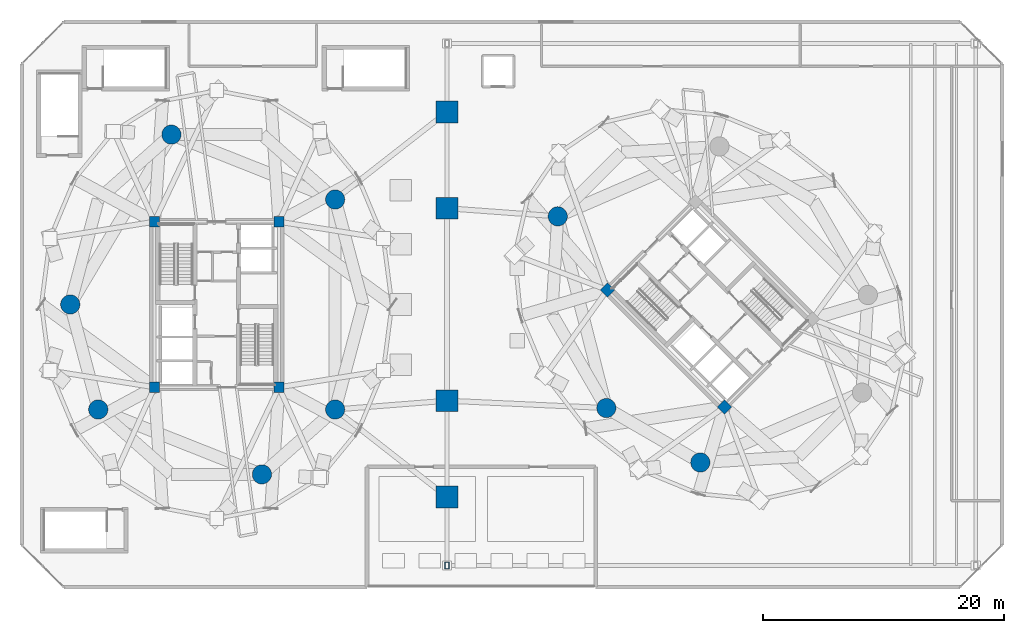
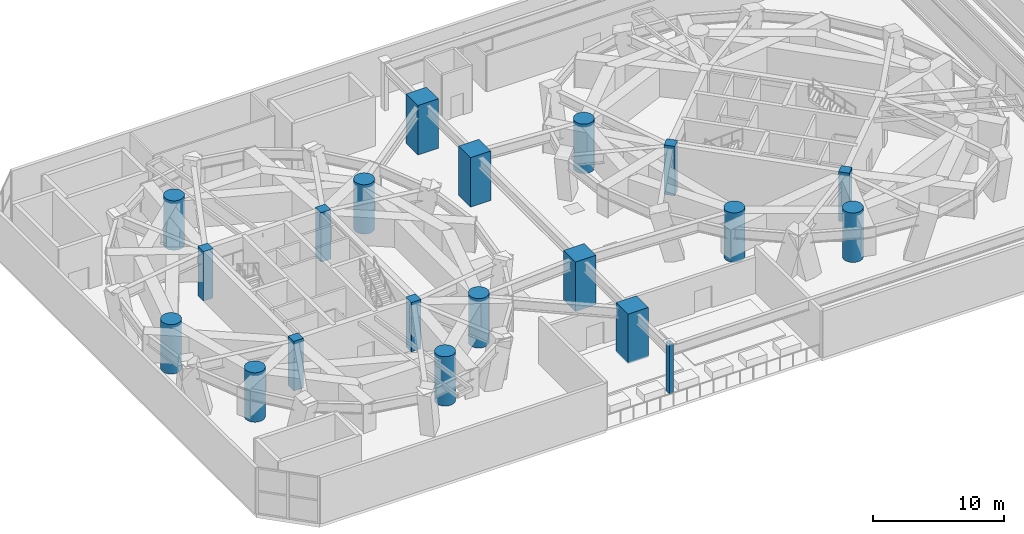
# One storey, part 1 of 25: 20 columns.
"""IFC4 building model written with IfcOpenShell, lengths in metres."""

from ifc_helpers import new_model, si_unit, direction, frame, origin, origin_2d, place, context, subcontext, project, spatial, rectangle, hollow_rectangle, circle, extrude, material, material_profile, profile_set, type_object, element, save


model = new_model("IFC4")

# Units and contexts
model_context = context("Model", 3, precision=1e-05, world=origin(), true_north=direction((0.0, 1.0)))
body_context = subcontext(model_context, "Body", "Model", "MODEL_VIEW")
ifc_project = project(units=[si_unit("LENGTHUNIT", "METRE"), si_unit("AREAUNIT", "SQUARE_METRE"), si_unit("VOLUMEUNIT", "CUBIC_METRE"), si_unit("PLANEANGLEUNIT", "RADIAN"), si_unit("MASSUNIT", "GRAM", prefix="KILO")], contexts=[model_context])

# Site, building, storey
site_placement = place(None, origin())
site = spatial("IfcSite", under=ifc_project, at=site_placement, CompositionType="ELEMENT")
building_placement = place(site_placement, origin())
building = spatial("IfcBuilding", under=site, at=building_placement, Name="Cununo Teusaquillo Station Towers", CompositionType="ELEMENT")
storey_placement = place(building_placement, frame((0.0, 0.0, 17.39990234375)))
storey = spatial("IfcBuildingStorey", under=building, at=storey_placement, Name="L04", CompositionType="ELEMENT", Elevation=17.39990234375)

# Columns
ifc_material_1 = material(Name="Concrete C50/60", Category="concrete")
ifc_material_profile_1 = material_profile(ifc_material_1, rectangle(XDim=0.85009765625, YDim=0.85009765625, at=origin_2d()), Name="RC-RECT-850x850")
ifc_profile_set_1 = profile_set([ifc_material_profile_1], Name="Concrete C50/60")
column_type_1 = type_object("IfcColumnType", Name="COL-CORE-Z1", PredefinedType="COLUMN", material=ifc_profile_set_1)
for number, where, z_axis, x_axis, name in (
    (1, (11.324951171875, 17.6201171875, 0.0), (0.0, 0.0, 1.0), (1.0, 0.0, 0.0), "L04 Tower A Core Column 1"),
    (2, (11.324951171875, 31.3798828125, 0.0), (0.0, 0.0, 1.0), (1.0, 0.0, 0.0), "L04 Tower A Core Column 2"),
    (3, (21.675048828125, 17.6201171875, 0.0), (0.0, 0.0, 1.0), (1.0, 0.0, 0.0), "L04 Tower A Core Column 3"),
    (4, (21.675048828125, 31.3798828125, 0.0), (0.0, 0.0, 1.0), (1.0, 0.0, 0.0), "L04 Tower A Core Column 4"),
    (5, (58.70556640625, 15.975830078125, 0.0), (0.0, 0.0, 1.0), (0.707106781187, 0.707106781187, 0.0), "L04 Tower B Core Column 1"),
    (6, (48.975830078125, 25.70556640625, 0.0), (0.0, 0.0, 1.0), (0.707106781187, 0.707106781187, 0.0), "L04 Tower B Core Column 2"),
):
    element("IfcColumn", number, at=place(storey_placement, frame(where, z_axis=z_axis, x_axis=x_axis)), inside=storey, type_object=column_type_1, Name=name, PredefinedType="COLUMN", context=body_context, shape_type="SweptSolid", body=[
        extrude(rectangle(XDim=0.85009765625, YDim=0.85009765625, at=origin_2d()), origin(), (0.0, 0.0, 1.0), 4.60009765625),
    ])
ifc_material_2 = material(Name="Concrete C60/75", Category="concrete")
ifc_material_profile_2 = material_profile(ifc_material_2, circle(Radius=0.800048828125, at=origin_2d()), Name="RC-CIRC-1600")
ifc_profile_set_2 = profile_set([ifc_material_profile_2], Name="Concrete C60/75")
column_type_2 = type_object("IfcColumnType", Name="COL-MEGA-POD", PredefinedType="USERDEFINED", material=ifc_profile_set_2)
for number, where, z_axis, x_axis, name in (
    (7, (26.347412109375, 33.228515625, 0.0), (0.0, 0.0, 1.0), (1.0, 0.0, 0.0), "L04 Tower A Perimeter Column V02"),
    (8, (12.738525390625, 38.623291015625, 0.0), (0.0, 0.0, 1.0), (1.0, 0.0, 0.0), "L04 Tower A Perimeter Column V06"),
    (9, (4.327880859375, 24.5, 0.0), (0.0, 0.0, 1.0), (1.0, 0.0, 0.0), "L04 Tower A Perimeter Column V10"),
    (10, (6.652587890625, 15.771484375, 0.0), (0.0, 0.0, 1.0), (1.0, 0.0, 0.0), "L04 Tower A Perimeter Column V12"),
    (11, (20.261474609375, 10.376708984375, 0.0), (0.0, 0.0, 1.0), (1.0, 0.0, 0.0), "L04 Tower A Perimeter Column V16"),
    (12, (26.347412109375, 15.771484375, 0.0), (0.0, 0.0, 1.0), (1.0, 0.0, 0.0), "L04 Tower A Perimeter Column V18"),
    (13, (44.853759765625, 31.826904296875, 0.0), (0.0, 0.0, 1.0), (1.0, 0.0, 0.0), "L04 Tower B Perimeter Column V06"),
    (14, (48.89306640625, 15.89306640625, 0.0), (0.0, 0.0, 1.0), (1.0, 0.0, 0.0), "L04 Tower B Perimeter Column V10"),
    (15, (56.708984375, 11.36474609375, 0.0), (0.0, 0.0, 1.0), (1.0, 0.0, 0.0), "L04 Tower B Perimeter Column V12"),
):
    element("IfcColumn", number, at=place(storey_placement, frame(where, z_axis=z_axis, x_axis=x_axis)), inside=storey, type_object=column_type_2, Name=name, ObjectType="MEGA COLUMN", PredefinedType="USERDEFINED", context=body_context, shape_type="SweptSolid", body=[
        extrude(circle(Radius=0.800048828125, at=origin_2d()), origin(), (0.0, 0.0, 1.0), 4.60009765625),
    ])
ifc_material_3 = material(Name="Steel ASTM A572 Grade 50", Category="steel")
ifc_material_profile_3 = material_profile(ifc_material_3, hollow_rectangle(XDim=0.35009765625, YDim=0.550048828125, WallThickness=0.02197265625, at=origin_2d()), Name="RHS 550x350x22")
ifc_profile_set_3 = profile_set([ifc_material_profile_3], Name="Steel ASTM A572 Grade 50")
column_type_3 = type_object("IfcColumnType", Name="COL-PILASTER", PredefinedType="PILASTER", material=ifc_profile_set_3)
column_placement = place(storey_placement, frame((35.64990234375, 2.800048828125, 0.0), z_axis=(0.0, 0.0, 1.0), x_axis=(1.0, 0.0, 0.0)))
element("IfcColumn", 16, at=column_placement, inside=storey, type_object=column_type_3, Name="L04 Station Hall Pilaster PIL-SW", PredefinedType="PILASTER", context=body_context, shape_type="SweptSolid", body=[
    extrude(hollow_rectangle(XDim=0.35009765625, YDim=0.550048828125, WallThickness=0.02197265625, at=origin_2d()), origin(), (0.0, 0.0, 1.0), 4.60009765625),
])
ifc_material_4 = material(Name="Concrete C60/75", Category="concrete")
ifc_material_profile_4 = material_profile(ifc_material_4, rectangle(XDim=1.800048828125, YDim=1.800048828125, at=origin_2d()), Name="RC-RECT-1800x1800")
ifc_profile_set_4 = profile_set([ifc_material_profile_4], Name="Concrete C60/75")
column_type_4 = type_object("IfcColumnType", Name="COL-POD-MEGA", PredefinedType="USERDEFINED", material=ifc_profile_set_4)
for number, where, z_axis, x_axis, name in (
    (17, (35.64990234375, 8.5, 0.0), (0.0, 0.0, 1.0), (1.0, 0.0, 0.0), "L04 Station Mega-Column PMC-S"),
    (18, (35.64990234375, 16.5, 0.0), (0.0, 0.0, 1.0), (1.0, 0.0, 0.0), "L04 Station Mega-Column PMC-M1"),
    (19, (35.64990234375, 32.5, 0.0), (0.0, 0.0, 1.0), (1.0, 0.0, 0.0), "L04 Station Mega-Column PMC-M2"),
    (20, (35.64990234375, 40.5, 0.0), (0.0, 0.0, 1.0), (1.0, 0.0, 0.0), "L04 Station Mega-Column PMC-N"),
):
    element("IfcColumn", number, at=place(storey_placement, frame(where, z_axis=z_axis, x_axis=x_axis)), inside=storey, type_object=column_type_4, Name=name, ObjectType="MEGA COLUMN", PredefinedType="USERDEFINED", context=body_context, shape_type="SweptSolid", body=[
        extrude(rectangle(XDim=1.800048828125, YDim=1.800048828125, at=origin_2d()), origin(), (0.0, 0.0, 1.0), 4.60009765625),
    ])

save(model, "model.ifc")
